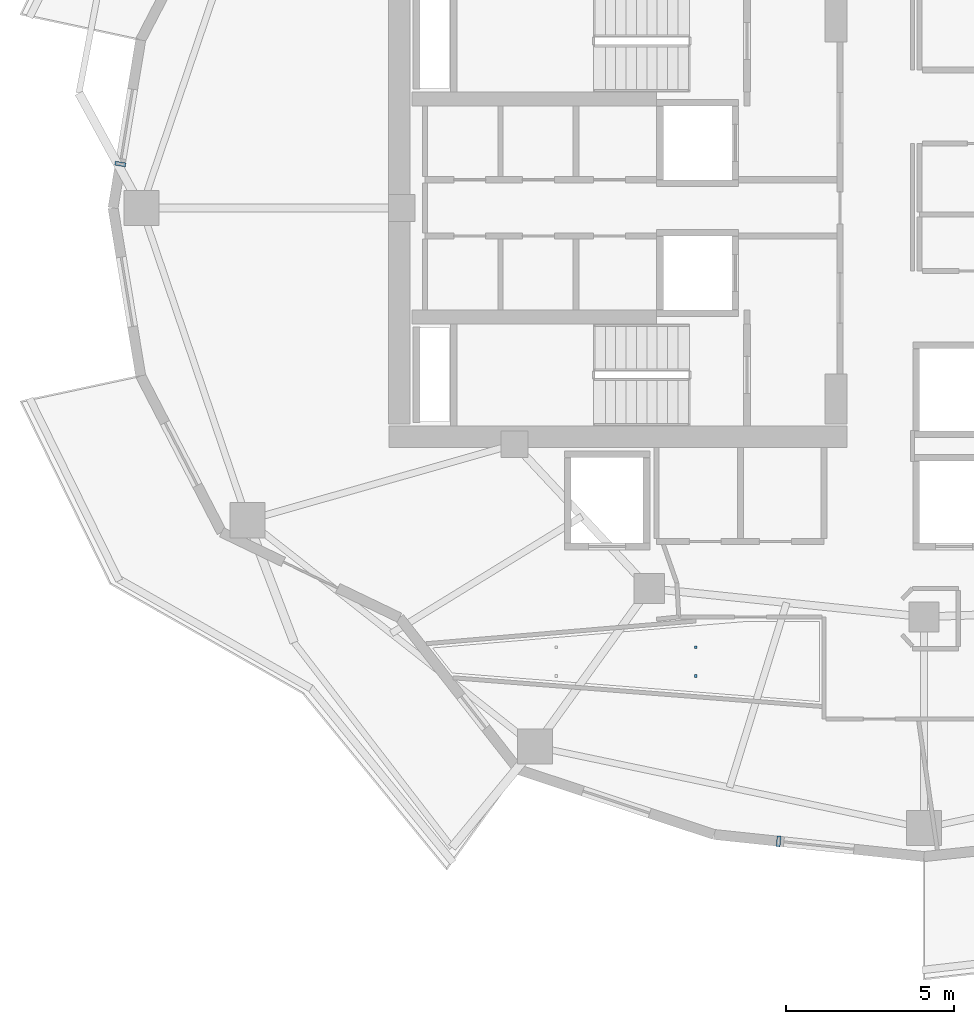
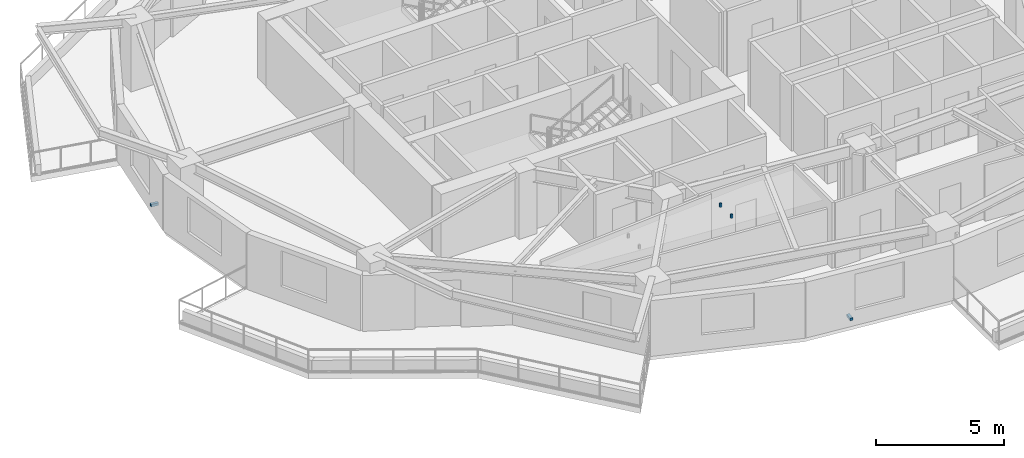
# One storey, part 12 of 18: 4 discrete accessories.
"""IFC4 building model written with IfcOpenShell, lengths in metres."""

import ifcopenshell
import ifcopenshell.guid

model = None  # the IFC model being written
_history = None  # IfcOwnerHistory: only IFC2X3 demands one
_inside = {}  # id of a spatial element -> (the spatial element, [elements in it])
_under = {}  # id of a project, library or spatial element -> (it, [spatial elements below it])
_declared = {}  # id of a project -> (the project, [libraries it declares])
_typed = {}  # id of a type object -> (the type object, [elements of that type])
_made_of = {}  # id of a material, layer set ... -> (it, [elements and type objects made of it])


def new_model(schema):
    """Start an empty IFC model of exactly this schema.

    Asked for "IFC4X3", IfcOpenShell would pick the latest addendum, in which some entities
    have other attributes; the version numbers below select the first issue.
    IFC2X3 requires an IfcOwnerHistory on every rooted entity: one is made here for all.
    """
    global model, _history
    if schema == "IFC4X3":
        model = ifcopenshell.file(schema_version=(4, 3, 0, 0))
    else:
        model = ifcopenshell.file(schema=schema)
    _inside.clear()
    _under.clear()
    _declared.clear()
    _typed.clear()
    _made_of.clear()
    _history = None
    if model.schema == "IFC2X3":
        org = make("IfcOrganization", Name="unknown")
        user = make(
            "IfcPersonAndOrganization",
            ThePerson=make("IfcPerson", FamilyName="unknown"),
            TheOrganization=org,
        )
        app = make(
            "IfcApplication",
            ApplicationDeveloper=org,
            Version="unknown",
            ApplicationFullName="unknown",
            ApplicationIdentifier="unknown",
        )
        _history = make(
            "IfcOwnerHistory",
            OwningUser=user,
            OwningApplication=app,
            ChangeAction="ADDED",
            CreationDate=0,
        )
    return model


def make(cls, **values):
    """One entity of the class cls with the attributes given. An attribute that is None is left unset."""
    return model.create_entity(
        cls, **{name: value for name, value in values.items() if value is not None}
    )


def rooted(cls, **values):
    """An entity with a GlobalId (a new one), such as an element, a storey or a relation."""
    return make(cls, GlobalId=ifcopenshell.guid.new(), OwnerHistory=_history, **values)


def si_unit(unit_type, name, prefix=None):
    """IfcSIUnit, for example si_unit("LENGTHUNIT", "METRE", prefix="MILLI")."""
    return make("IfcSIUnit", UnitType=unit_type, Prefix=prefix, Name=name)


def assignment(units):
    """IfcUnitAssignment: the units of a project."""
    return None if units is None else make("IfcUnitAssignment", Units=units)


def point(xyz):
    """IfcCartesianPoint."""
    return None if xyz is None else make("IfcCartesianPoint", Coordinates=xyz)


def direction(xyz):
    """IfcDirection."""
    return None if xyz is None else make("IfcDirection", DirectionRatios=xyz)


def frame(location, z_axis=None, x_axis=None):
    """IfcAxis2Placement3D, a coordinate frame: its origin and axes. An axis left out is left unset."""
    return make(
        "IfcAxis2Placement3D",
        Location=point(location),
        Axis=direction(z_axis),
        RefDirection=direction(x_axis),
    )


def frame_2d(location, x_axis=None):
    """IfcAxis2Placement2D, a coordinate frame in the plane: its origin and x axis."""
    return make(
        "IfcAxis2Placement2D", Location=point(location), RefDirection=direction(x_axis)
    )


def origin():
    """The frame at (0, 0, 0) with its axes left unset."""
    return frame((0.0, 0.0, 0.0))


def origin_2d():
    """The frame at (0, 0) in the plane with its x axis left unset."""
    return frame_2d((0.0, 0.0))


def place(relative_to, where):
    """IfcLocalPlacement: puts the frame where relative to a parent placement (None: the world)."""
    return make(
        "IfcLocalPlacement", PlacementRelTo=relative_to, RelativePlacement=where
    )


def context(
    kind, dimensions, precision=None, world=None, true_north=None, identifier=None
):
    """IfcGeometricRepresentationContext, for example the 3D "Model" context."""
    return make(
        "IfcGeometricRepresentationContext",
        ContextIdentifier=identifier,
        ContextType=kind,
        CoordinateSpaceDimension=dimensions,
        Precision=precision,
        WorldCoordinateSystem=world,
        TrueNorth=true_north,
    )


def subcontext(parent, identifier, kind, view, scale=None):
    """IfcGeometricRepresentationSubContext, for example "Body" below "Model"."""
    return make(
        "IfcGeometricRepresentationSubContext",
        ContextIdentifier=identifier,
        ContextType=kind,
        ParentContext=parent,
        TargetScale=scale,
        TargetView=view,
    )


def project(units=None, contexts=None):
    """IfcProject with its units and contexts."""
    return rooted(
        "IfcProject",
        Name="project",
        RepresentationContexts=contexts,
        UnitsInContext=assignment(units),
    )


def spatial(cls, under=None, at=None, **own):
    """A site, building, storey or space (cls), placed at a placement, below another one or the project."""
    s = rooted(cls, ObjectPlacement=at, **own)
    if under is not None:
        _under.setdefault(under.id(), (under, []))[1].append(s)
    return s


def profile(cls, at=None, kind="AREA", **sizes):
    """A parametric profile (cls). Its sizes go by their IFC names, for example OverallWidth=200.0."""
    return make(cls, ProfileType=kind, Position=at, **sizes)


def rectangle(**sizes):
    """IfcRectangleProfileDef."""
    return profile("IfcRectangleProfileDef", **sizes)


def extrude(swept, where, along, depth):
    """IfcExtrudedAreaSolid: the profile swept, set in the frame where, extruded along a direction by depth."""
    return make(
        "IfcExtrudedAreaSolid",
        SweptArea=swept,
        Position=where,
        ExtrudedDirection=direction(along),
        Depth=depth,
    )


def shape(context_of_items, identifier, shape_type, items):
    """IfcShapeRepresentation: the items that make up one representation, for example the "Body"."""
    return make(
        "IfcShapeRepresentation",
        ContextOfItems=context_of_items,
        RepresentationIdentifier=identifier,
        RepresentationType=shape_type,
        Items=items,
    )


def material(Name=None, Category=None):
    """IfcMaterial."""
    return make("IfcMaterial", Name=Name, Category=Category)


def made_of(thing, what):
    """Note that an element or type object is made of a material, layer set ...; save() writes the relation."""
    if what is not None:
        _made_of.setdefault(what.id(), (what, []))[1].append(thing)
    return thing


def type_object(cls, material=None, **own):
    """A type object (cls), such as IfcWallType, which elements share."""
    return made_of(rooted(cls, **own), material)


def element(
    cls,
    number,
    at=None,
    inside=None,
    cuts=None,
    type_object=None,
    material=None,
    context=None,
    identifier="Body",
    shape_type=None,
    held_by="IfcProductDefinitionShape",
    body=None,
    shapes=None,
    **own,
):
    """One element of the class cls, such as IfcWall. Its Tag is "e" and its number.

    at: its placement. inside: the storey or other place that contains it. cuts: it is an
    opening in that element (IfcRelVoidsElement). A single representation is given by context,
    identifier, shape_type and body (its items); several are given by shapes. held_by: the class
    of the entity that holds the representations. save() writes the other relations.
    """
    e = rooted(cls, Tag="e%d" % number, ObjectPlacement=at, **own)
    if body is not None:
        shapes = [shape(context, identifier, shape_type, body)]
    if shapes is not None:
        e.Representation = make(held_by, Representations=shapes)
    if inside is not None:
        _inside.setdefault(inside.id(), (inside, []))[1].append(e)
    if cuts is not None:
        rooted(
            "IfcRelVoidsElement", RelatingBuildingElement=cuts, RelatedOpeningElement=e
        )
    if type_object is not None:
        _typed.setdefault(type_object.id(), (type_object, []))[1].append(e)
    return made_of(e, material)


def aggregate(whole, parts):
    """IfcRelAggregates: a whole, such as a stair, and the parts it consists of."""
    return rooted("IfcRelAggregates", RelatingObject=whole, RelatedObjects=parts)


def save(model, path):
    """Write the relations noted so far, then the file.

    IfcRelAggregates (storeys below a building ...), IfcRelContainedInSpatialStructure (elements
    in a storey), IfcRelDefinesByType, IfcRelAssociatesMaterial and IfcRelDeclares: one each for
    every whole, place, type object, material and project.
    """
    for whole, parts in _under.values():
        aggregate(whole, parts)
    for where, things in _inside.values():
        rooted(
            "IfcRelContainedInSpatialStructure",
            RelatedElements=things,
            RelatingStructure=where,
        )
    for kind, things in _typed.values():
        rooted("IfcRelDefinesByType", RelatedObjects=things, RelatingType=kind)
    for what, things in _made_of.values():
        rooted("IfcRelAssociatesMaterial", RelatedObjects=things, RelatingMaterial=what)
    for by, libraries in _declared.values():
        rooted("IfcRelDeclares", RelatingContext=by, RelatedDefinitions=libraries)
    model.write(path)


model = new_model("IFC4")

# Units and contexts
model_context = context("Model", 3, precision=1e-05, world=origin(), true_north=direction((0.0, 1.0)))
body_context = subcontext(model_context, "Body", "Model", "MODEL_VIEW")
ifc_project = project(units=[si_unit("LENGTHUNIT", "METRE"), si_unit("AREAUNIT", "SQUARE_METRE"), si_unit("VOLUMEUNIT", "CUBIC_METRE"), si_unit("PLANEANGLEUNIT", "RADIAN"), si_unit("MASSUNIT", "GRAM", prefix="KILO")], contexts=[model_context])

# Site, building, storey
site_placement = place(None, origin())
site = spatial("IfcSite", under=ifc_project, at=site_placement, CompositionType="ELEMENT")
building_placement = place(site_placement, origin())
building = spatial("IfcBuilding", under=site, at=building_placement, Name="Kolvaren Gate Tower and Convention Centre", CompositionType="ELEMENT")
storey_placement = place(building_placement, frame((0.0, 0.0, 135.89990234375)))
storey = spatial("IfcBuildingStorey", under=building, at=storey_placement, Name="L34", CompositionType="ELEMENT", Elevation=135.89990234375)

# Discrete accessories
ifc_material_1 = material(Name="Anodized Architectural Aluminium Alloy 6063-T6", Category="aluminium")
discrete_accessory_type_1 = type_object("IfcDiscreteAccessoryType", Name="ARCH-ACC-BRACKET-120", PredefinedType="BRACKET", material=ifc_material_1)
for number, where, z_axis, x_axis, name in (
    (1, (6.1533203125, 28.310302734375, 0.2900390625), (0.0, 0.0, 1.0), (0.162389178836, 0.986726788223, 0.0), "Ceramic Fin Wall Anchor Bracket FBK-L34-11"),
    (2, (25.791015625, 8.1064453125, 0.2900390625), (0.0, 0.0, 1.0), (0.994499981166, -0.104736753152, 0.0), "Ceramic Fin Wall Anchor Bracket FBK-L34-17"),
):
    element("IfcDiscreteAccessory", number, at=place(storey_placement, frame(where, z_axis=z_axis, x_axis=x_axis)), inside=storey, type_object=discrete_accessory_type_1, Name=name, PredefinedType="BRACKET", context=body_context, shape_type="SweptSolid", body=[
        extrude(rectangle(XDim=0.1201171875, YDim=0.320068359375, at=origin_2d()), origin(), (0.0, 0.0, 1.0), 0.1201171875),
    ])
ifc_material_2 = material(Name="Brushed Stainless Steel Grade 316L", Category="steel")
discrete_accessory_type_2 = type_object("IfcDiscreteAccessoryType", Name="ARCH-ACC-HANGER-80", PredefinedType="BRACKET", material=ifc_material_2)
for number, where, z_axis, x_axis, name in (
    (3, (23.31591796875, 13.0380859375, 2.9501953125), (0.0, 0.0, 1.0), (1.0, 0.0, 0.0), "Hotel Sky Banquet Salon Ceiling Suspension Hanger Clip 2"),
    (4, (23.31591796875, 13.89697265625, 2.9501953125), (0.0, 0.0, 1.0), (1.0, 0.0, 0.0), "Hotel Sky Banquet Salon Ceiling Suspension Hanger Clip 4"),
):
    element("IfcDiscreteAccessory", number, at=place(storey_placement, frame(where, z_axis=z_axis, x_axis=x_axis)), inside=storey, type_object=discrete_accessory_type_2, Name=name, PredefinedType="BRACKET", context=body_context, shape_type="SweptSolid", body=[
        extrude(rectangle(XDim=0.080078125, YDim=0.080078125, at=origin_2d()), origin(), (0.0, 0.0, 1.0), 0.179931640625),
    ])

save(model, "model.ifc")
